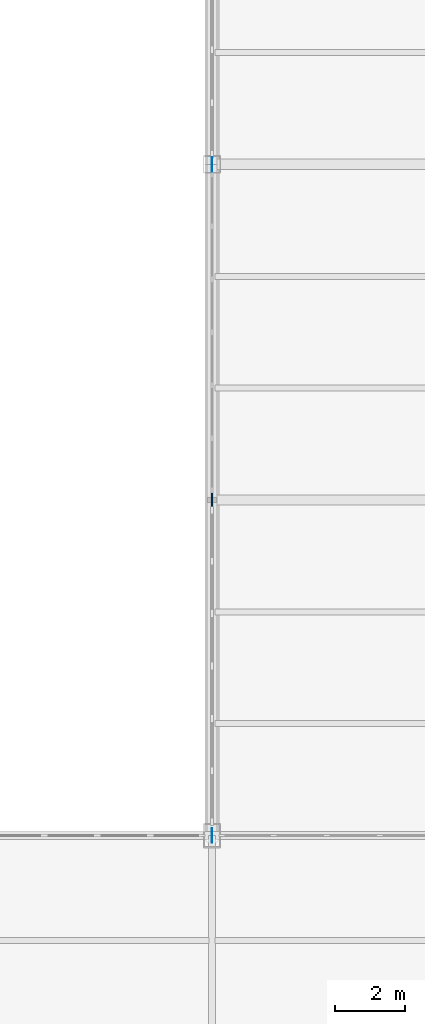
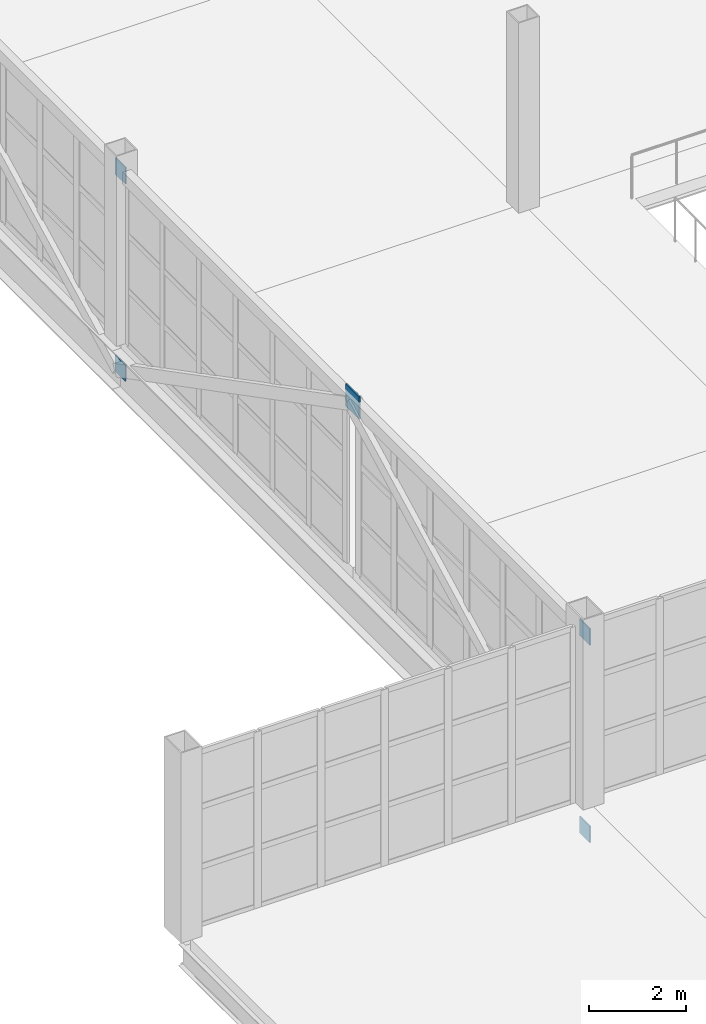
# One storey, part 101 of 120: 5 plates.
"""IFC4 building model written with IfcOpenShell, lengths in metres."""

from ifc_helpers import new_model, si_unit, direction, frame, origin, origin_2d, place, context, subcontext, project, spatial, rectangle, extrude, material, layer, layer_set, type_object, element, save


model = new_model("IFC4")

# Units and contexts
model_context = context("Model", 3, precision=1e-05, world=origin(), true_north=direction((0.0, 1.0)))
body_context = subcontext(model_context, "Body", "Model", "MODEL_VIEW")
ifc_project = project(units=[si_unit("LENGTHUNIT", "METRE"), si_unit("AREAUNIT", "SQUARE_METRE"), si_unit("VOLUMEUNIT", "CUBIC_METRE"), si_unit("PLANEANGLEUNIT", "RADIAN"), si_unit("MASSUNIT", "GRAM", prefix="KILO")], contexts=[model_context])

# Site, building, storey
site_placement = place(None, origin())
site = spatial("IfcSite", under=ifc_project, at=site_placement, CompositionType="ELEMENT")
building_placement = place(site_placement, origin())
building = spatial("IfcBuilding", under=site, at=building_placement, Name="Zarnetskaya Central Station", CompositionType="ELEMENT")
storey_placement = place(building_placement, frame((0.0, 0.0, 5.39990234375)))
storey = spatial("IfcBuildingStorey", under=building, at=storey_placement, Name="L01", CompositionType="ELEMENT", Elevation=5.39990234375)

# Plates
ifc_material = material(Name="Steel S355", Category="steel")
ifc_layer_1 = layer(ifc_material, 0.028076171875, Name="Steel S355", Category="steel")
ifc_layer_set_1 = layer_set([ifc_layer_1], Name="Steel S355")
plate_type_1 = type_object("IfcPlateType", Name="ND-GUSSET-28", PredefinedType="USERDEFINED", material=ifc_layer_set_1)
for number, where, z_axis, x_axis, name in (
    (1, (67.199951171875, 67.199951171875, 3.990234375), (0.0, 0.0, 1.0), (1.0, 0.0, 0.0), "Structural member end gusset plate 097"),
    (2, (67.199951171875, 86.39990234375, 3.990234375), (0.0, 0.0, 1.0), (1.0, 0.0, 0.0), "Structural member end gusset plate 098"),
    (3, (67.199951171875, 67.199951171875, -0.98974609375), (0.0, 0.0, 1.0), (1.0, 0.0, 0.0), "Structural member end gusset plate 099"),
    (4, (67.199951171875, 86.39990234375, -0.98974609375), (0.0, 0.0, 1.0), (1.0, 0.0, 0.0), "Structural member end gusset plate 100"),
):
    element("IfcPlate", number, at=place(storey_placement, frame(where, z_axis=z_axis, x_axis=x_axis)), inside=storey, type_object=plate_type_1, Name=name, ObjectType="GUSSET PLATE", PredefinedType="USERDEFINED", context=body_context, shape_type="SweptSolid", body=[
        extrude(rectangle(XDim=0.028076171875, YDim=0.419921875, at=origin_2d()), origin(), (0.0, 0.0, 1.0), 0.419921875),
    ])
ifc_layer_2 = layer(ifc_material, 0.035888671875, Name="Steel S355", Category="steel")
ifc_layer_set_2 = layer_set([ifc_layer_2], Name="Steel S355")
plate_type_2 = type_object("IfcPlateType", Name="ND-GUSSET-36", PredefinedType="USERDEFINED", material=ifc_layer_set_2)
plate_placement = place(storey_placement, frame((67.199951171875, 76.800048828125, 3.920166015625), z_axis=(0.0, 0.0, 1.0), x_axis=(1.0, 0.0, 0.0)))
element("IfcPlate", 5, at=plate_placement, inside=storey, type_object=plate_type_2, Name="Transfer truss H 9-11 node gusset plate", ObjectType="GUSSET PLATE", PredefinedType="USERDEFINED", context=body_context, shape_type="SweptSolid", body=[
    extrude(rectangle(XDim=0.035888671875, YDim=0.56005859375, at=origin_2d()), origin(), (0.0, 0.0, 1.0), 0.56005859375),
])

save(model, "model.ifc")
